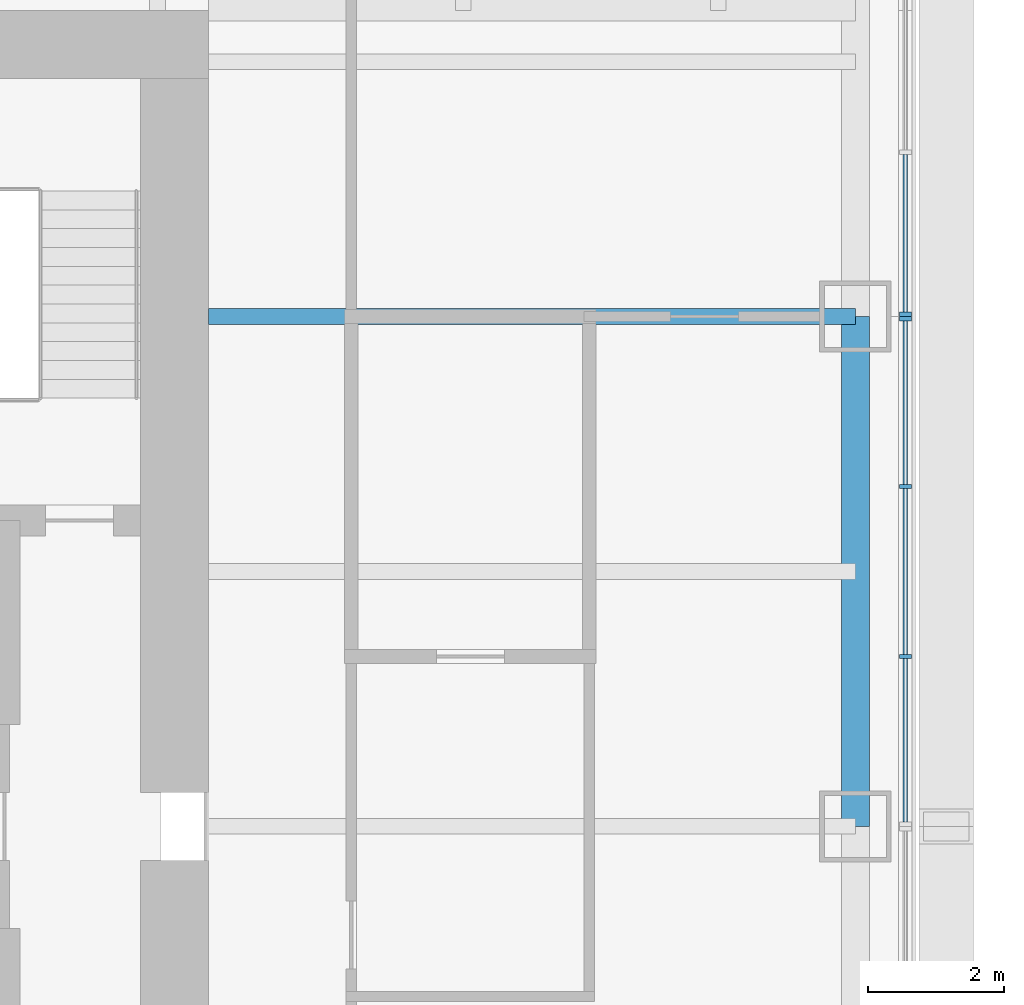
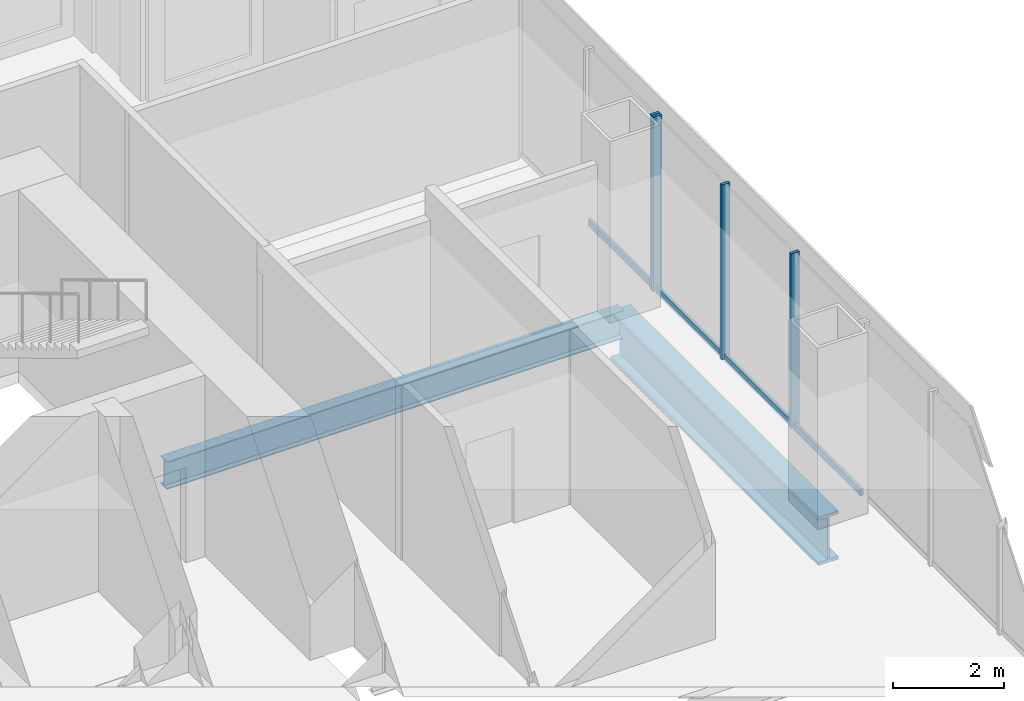
# One storey, part 8 of 19: 8 members, 2 beams, 2 elements without a shape of their own.
"""IFC4 building model written with IfcOpenShell, lengths in metres."""

from ifc_helpers import new_model, si_unit, direction, frame, origin, origin_2d, place, context, subcontext, project, spatial, rectangle, i_section, extrude, material, material_profile, profile_set, type_object, element, aggregate, save


model = new_model("IFC4")

# Units and contexts
model_context = context("Model", 3, precision=1e-05, world=origin(), true_north=direction((0.0, 1.0)))
body_context = subcontext(model_context, "Body", "Model", "MODEL_VIEW")
ifc_project = project(units=[si_unit("LENGTHUNIT", "METRE"), si_unit("AREAUNIT", "SQUARE_METRE"), si_unit("VOLUMEUNIT", "CUBIC_METRE"), si_unit("PLANEANGLEUNIT", "RADIAN"), si_unit("MASSUNIT", "GRAM", prefix="KILO")], contexts=[model_context])

# Site, building, storey
site_placement = place(None, origin())
site = spatial("IfcSite", under=ifc_project, at=site_placement, CompositionType="ELEMENT")
building_placement = place(site_placement, origin())
building = spatial("IfcBuilding", under=site, at=building_placement, Name="Tarangal Relay Tower", CompositionType="ELEMENT")
storey_placement = place(building_placement, frame((0.0, 0.0, 213.89990234375)))
storey = spatial("IfcBuildingStorey", under=building, at=storey_placement, Name="L45", CompositionType="ELEMENT", Elevation=213.89990234375)

# Beams
ifc_material_1 = material(Name="Steel ASTM A992", Category="steel")
ifc_material_profile_1 = material_profile(ifc_material_1, i_section(OverallWidth=0.41650390625, OverallDepth=1.0693359375, WebThickness=0.0390625, FlangeThickness=0.070068359375, at=origin_2d()), Name="W40X503")
ifc_profile_set_1 = profile_set([ifc_material_profile_1], Name="Steel ASTM A992")
beam_type_1 = type_object("IfcBeamType", Name="Edge girder W40X503", PredefinedType="SPANDREL", material=ifc_profile_set_1)
beam_1_placement = place(storey_placement, frame((21.514892578125, 7.5, -0.6845703125), z_axis=(0.0, -1.0, 0.0), x_axis=(1.0, 0.0, 0.0)))
element("IfcBeam", 1, at=beam_1_placement, inside=storey, type_object=beam_type_1, Name="Edge girder EG8 E L45", PredefinedType="SPANDREL", context=body_context, shape_type="SweptSolid", body=[
    extrude(i_section(OverallWidth=0.41650390625, OverallDepth=1.0693359375, WebThickness=0.0390625, FlangeThickness=0.070068359375, at=origin_2d()), origin(), (0.0, 0.0, 1.0), 7.5),
])
ifc_material_profile_2 = material_profile(ifc_material_1, i_section(OverallWidth=0.22900390625, OverallDepth=0.612060546875, WebThickness=0.011962890625, FlangeThickness=0.01953125, at=origin_2d()), Name="W24X84")
ifc_profile_set_2 = profile_set([ifc_material_profile_2], Name="Steel ASTM A992")
beam_type_2 = type_object("IfcBeamType", Name="Floor beam W24X84", PredefinedType="BEAM", material=ifc_profile_set_2)
beam_2_placement = place(storey_placement, frame((12.0, 7.5, -0.455810546875), z_axis=(1.0, 0.0, 0.0), x_axis=(0.0, 1.0, 0.0)))
element("IfcBeam", 2, at=beam_2_placement, inside=storey, type_object=beam_type_2, Name="Floor beam RB12 E L45", PredefinedType="BEAM", context=body_context, shape_type="SweptSolid", body=[
    extrude(i_section(OverallWidth=0.22900390625, OverallDepth=0.612060546875, WebThickness=0.011962890625, FlangeThickness=0.01953125, at=origin_2d()), origin(), (0.0, 0.0, 1.0), 9.514892578125),
])

# Curtain wall, member
ifc_material_2 = material(Name="Unitised curtain wall, dark glass and black aluminium", Category="aluminium")
curtain_wall_type = type_object("IfcCurtainWallType", Name="Curtain wall CW-A", PredefinedType="USERDEFINED", material=ifc_material_2)
curtain_wall_1_placement = place(storey_placement, origin())
curtain_wall_1 = element("IfcCurtainWall", 3, at=curtain_wall_1_placement, inside=storey, type_object=curtain_wall_type, Name="Curtain wall CW-A E facade L45", ObjectType="UNITISED CURTAIN WALL", PredefinedType="USERDEFINED")
ifc_material_3 = material(Name="Black anodised aluminium mullion", Category="aluminium")
ifc_material_profile_3 = material_profile(ifc_material_3, rectangle(XDim=0.175048828125, YDim=0.06494140625, at=origin_2d()), Name="CW-AM 65X175")
ifc_profile_set_3 = profile_set([ifc_material_profile_3], Name="Black anodised aluminium mullion")
member_type_1 = type_object("IfcMemberType", Name="Mullion CW-A 65 x 175", PredefinedType="MULLION", material=ifc_profile_set_3)
member_1_placement = place(storey_placement, frame((22.25, 7.532470703125, 0.0), z_axis=(0.0, 0.0, 1.0), x_axis=(1.0, 0.0, 0.0)))
member_1 = element("IfcMember", 4, at=member_1_placement, type_object=member_type_1, Name="CW-A mullion 4", PredefinedType="MULLION", context=body_context, shape_type="SweptSolid", body=[
    extrude(rectangle(XDim=0.175048828125, YDim=0.06494140625, at=origin_2d()), origin(), (0.0, 0.0, 1.0), 3.85009765625),
])

# Curtain wall, members
curtain_wall_2_placement = place(storey_placement, origin())
curtain_wall_2 = element("IfcCurtainWall", 5, at=curtain_wall_2_placement, inside=storey, type_object=curtain_wall_type, Name="Curtain wall CW-A E facade L45", ObjectType="UNITISED CURTAIN WALL", PredefinedType="USERDEFINED")
member_2_placement = place(storey_placement, frame((22.25, 7.467529296875, 0.0), z_axis=(0.0, 0.0, 1.0), x_axis=(1.0, 0.0, 0.0)))
member_2 = element("IfcMember", 6, at=member_2_placement, type_object=member_type_1, Name="CW-A mullion 1", PredefinedType="MULLION", context=body_context, shape_type="SweptSolid", body=[
    extrude(rectangle(XDim=0.175048828125, YDim=0.06494140625, at=origin_2d()), origin(), (0.0, 0.0, 1.0), 3.85009765625),
])
member_3_placement = place(storey_placement, frame((22.25, 5.0, 0.0), z_axis=(0.0, 0.0, 1.0), x_axis=(1.0, 0.0, 0.0)))
member_3 = element("IfcMember", 7, at=member_3_placement, type_object=member_type_1, Name="CW-A mullion 2", PredefinedType="MULLION", context=body_context, shape_type="SweptSolid", body=[
    extrude(rectangle(XDim=0.175048828125, YDim=0.06494140625, at=origin_2d()), origin(), (0.0, 0.0, 1.0), 3.85009765625),
])
member_4_placement = place(storey_placement, frame((22.25, 2.5, 0.0), z_axis=(0.0, 0.0, 1.0), x_axis=(1.0, 0.0, 0.0)))
member_4 = element("IfcMember", 8, at=member_4_placement, type_object=member_type_1, Name="CW-A mullion 3", PredefinedType="MULLION", context=body_context, shape_type="SweptSolid", body=[
    extrude(rectangle(XDim=0.175048828125, YDim=0.06494140625, at=origin_2d()), origin(), (0.0, 0.0, 1.0), 3.85009765625),
])

# Member
ifc_material_4 = material(Name="Black anodised aluminium transom", Category="aluminium")
ifc_material_profile_4 = material_profile(ifc_material_4, rectangle(XDim=0.06494140625, YDim=0.14990234375, at=origin_2d()), Name="CW-AT 65X150")
ifc_profile_set_4 = profile_set([ifc_material_profile_4], Name="Black anodised aluminium transom")
member_type_2 = type_object("IfcMemberType", Name="Transom CW-A 65 x 150", PredefinedType="USERDEFINED", material=ifc_profile_set_4)
member_5_placement = place(storey_placement, frame((22.25, 9.88427734375, 0.03271484375), z_axis=(0.0, -1.0, 0.0), x_axis=(1.0, 0.0, 0.0)))
member_5 = element("IfcMember", 9, at=member_5_placement, type_object=member_type_2, Name="CW-A transom 3.1", ObjectType="TRANSOM", PredefinedType="USERDEFINED", context=body_context, shape_type="SweptSolid", body=[
    extrude(rectangle(XDim=0.06494140625, YDim=0.14990234375, at=origin_2d()), origin(), (0.0, 0.0, 1.0), 2.3193359375),
])

aggregate(curtain_wall_1, [member_1, member_5])

member_6_placement = place(storey_placement, frame((22.25, 7.43505859375, 0.03271484375), z_axis=(0.0, -1.0, 0.0), x_axis=(1.0, 0.0, 0.0)))
member_6 = element("IfcMember", 10, at=member_6_placement, type_object=member_type_2, Name="CW-A transom 1.1", ObjectType="TRANSOM", PredefinedType="USERDEFINED", context=body_context, shape_type="SweptSolid", body=[
    extrude(rectangle(XDim=0.06494140625, YDim=0.14990234375, at=origin_2d()), origin(), (0.0, 0.0, 1.0), 2.402587890625),
])

member_7_placement = place(storey_placement, frame((22.25, 4.967529296875, 0.03271484375), z_axis=(0.0, -1.0, 0.0), x_axis=(1.0, 0.0, 0.0)))
member_7 = element("IfcMember", 11, at=member_7_placement, type_object=member_type_2, Name="CW-A transom 2.1", ObjectType="TRANSOM", PredefinedType="USERDEFINED", context=body_context, shape_type="SweptSolid", body=[
    extrude(rectangle(XDim=0.06494140625, YDim=0.14990234375, at=origin_2d()), origin(), (0.0, 0.0, 1.0), 2.43505859375),
])

member_8_placement = place(storey_placement, frame((22.25, 2.467529296875, 0.03271484375), z_axis=(0.0, -1.0, 0.0), x_axis=(1.0, 0.0, 0.0)))
member_8 = element("IfcMember", 12, at=member_8_placement, type_object=member_type_2, Name="CW-A transom 3.1", ObjectType="TRANSOM", PredefinedType="USERDEFINED", context=body_context, shape_type="SweptSolid", body=[
    extrude(rectangle(XDim=0.06494140625, YDim=0.14990234375, at=origin_2d()), origin(), (0.0, 0.0, 1.0), 2.402587890625),
])

aggregate(curtain_wall_2, [member_2, member_3, member_4, member_6, member_7, member_8])

save(model, "model.ifc")
